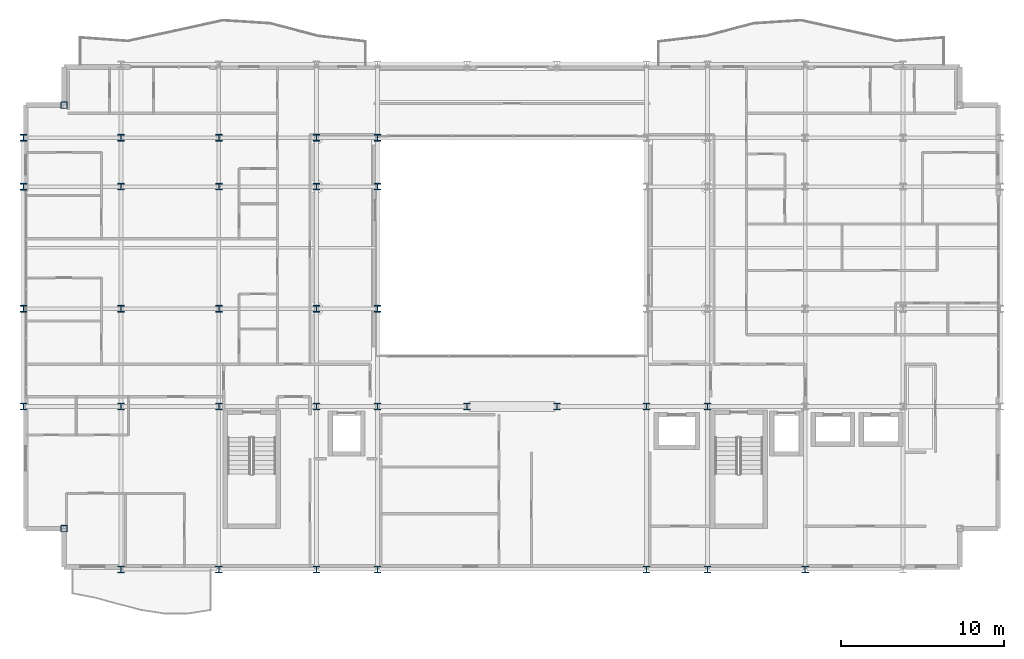
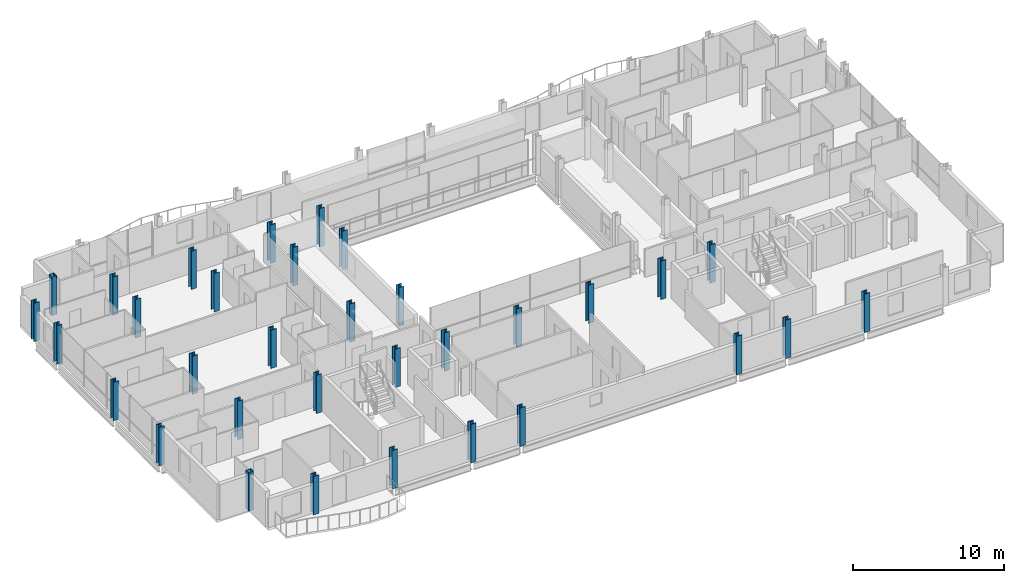
# One storey, part 1 of 41: 33 columns.
"""IFC4 building model written with IfcOpenShell, lengths in metres."""

import ifcopenshell
import ifcopenshell.guid

model = None  # the IFC model being written
_history = None  # IfcOwnerHistory: only IFC2X3 demands one
_inside = {}  # id of a spatial element -> (the spatial element, [elements in it])
_under = {}  # id of a project, library or spatial element -> (it, [spatial elements below it])
_declared = {}  # id of a project -> (the project, [libraries it declares])
_typed = {}  # id of a type object -> (the type object, [elements of that type])
_made_of = {}  # id of a material, layer set ... -> (it, [elements and type objects made of it])


def new_model(schema):
    """Start an empty IFC model of exactly this schema.

    Asked for "IFC4X3", IfcOpenShell would pick the latest addendum, in which some entities
    have other attributes; the version numbers below select the first issue.
    IFC2X3 requires an IfcOwnerHistory on every rooted entity: one is made here for all.
    """
    global model, _history
    if schema == "IFC4X3":
        model = ifcopenshell.file(schema_version=(4, 3, 0, 0))
    else:
        model = ifcopenshell.file(schema=schema)
    _inside.clear()
    _under.clear()
    _declared.clear()
    _typed.clear()
    _made_of.clear()
    _history = None
    if model.schema == "IFC2X3":
        org = make("IfcOrganization", Name="unknown")
        user = make(
            "IfcPersonAndOrganization",
            ThePerson=make("IfcPerson", FamilyName="unknown"),
            TheOrganization=org,
        )
        app = make(
            "IfcApplication",
            ApplicationDeveloper=org,
            Version="unknown",
            ApplicationFullName="unknown",
            ApplicationIdentifier="unknown",
        )
        _history = make(
            "IfcOwnerHistory",
            OwningUser=user,
            OwningApplication=app,
            ChangeAction="ADDED",
            CreationDate=0,
        )
    return model


def make(cls, **values):
    """One entity of the class cls with the attributes given. An attribute that is None is left unset."""
    return model.create_entity(
        cls, **{name: value for name, value in values.items() if value is not None}
    )


def rooted(cls, **values):
    """An entity with a GlobalId (a new one), such as an element, a storey or a relation."""
    return make(cls, GlobalId=ifcopenshell.guid.new(), OwnerHistory=_history, **values)


def si_unit(unit_type, name, prefix=None):
    """IfcSIUnit, for example si_unit("LENGTHUNIT", "METRE", prefix="MILLI")."""
    return make("IfcSIUnit", UnitType=unit_type, Prefix=prefix, Name=name)


def assignment(units):
    """IfcUnitAssignment: the units of a project."""
    return None if units is None else make("IfcUnitAssignment", Units=units)


def point(xyz):
    """IfcCartesianPoint."""
    return None if xyz is None else make("IfcCartesianPoint", Coordinates=xyz)


def direction(xyz):
    """IfcDirection."""
    return None if xyz is None else make("IfcDirection", DirectionRatios=xyz)


def frame(location, z_axis=None, x_axis=None):
    """IfcAxis2Placement3D, a coordinate frame: its origin and axes. An axis left out is left unset."""
    return make(
        "IfcAxis2Placement3D",
        Location=point(location),
        Axis=direction(z_axis),
        RefDirection=direction(x_axis),
    )


def frame_2d(location, x_axis=None):
    """IfcAxis2Placement2D, a coordinate frame in the plane: its origin and x axis."""
    return make(
        "IfcAxis2Placement2D", Location=point(location), RefDirection=direction(x_axis)
    )


def origin():
    """The frame at (0, 0, 0) with its axes left unset."""
    return frame((0.0, 0.0, 0.0))


def origin_2d():
    """The frame at (0, 0) in the plane with its x axis left unset."""
    return frame_2d((0.0, 0.0))


def place(relative_to, where):
    """IfcLocalPlacement: puts the frame where relative to a parent placement (None: the world)."""
    return make(
        "IfcLocalPlacement", PlacementRelTo=relative_to, RelativePlacement=where
    )


def context(
    kind, dimensions, precision=None, world=None, true_north=None, identifier=None
):
    """IfcGeometricRepresentationContext, for example the 3D "Model" context."""
    return make(
        "IfcGeometricRepresentationContext",
        ContextIdentifier=identifier,
        ContextType=kind,
        CoordinateSpaceDimension=dimensions,
        Precision=precision,
        WorldCoordinateSystem=world,
        TrueNorth=true_north,
    )


def subcontext(parent, identifier, kind, view, scale=None):
    """IfcGeometricRepresentationSubContext, for example "Body" below "Model"."""
    return make(
        "IfcGeometricRepresentationSubContext",
        ContextIdentifier=identifier,
        ContextType=kind,
        ParentContext=parent,
        TargetScale=scale,
        TargetView=view,
    )


def project(units=None, contexts=None):
    """IfcProject with its units and contexts."""
    return rooted(
        "IfcProject",
        Name="project",
        RepresentationContexts=contexts,
        UnitsInContext=assignment(units),
    )


def spatial(cls, under=None, at=None, **own):
    """A site, building, storey or space (cls), placed at a placement, below another one or the project."""
    s = rooted(cls, ObjectPlacement=at, **own)
    if under is not None:
        _under.setdefault(under.id(), (under, []))[1].append(s)
    return s


def profile(cls, at=None, kind="AREA", **sizes):
    """A parametric profile (cls). Its sizes go by their IFC names, for example OverallWidth=200.0."""
    return make(cls, ProfileType=kind, Position=at, **sizes)


def hollow_rectangle(**sizes):
    """IfcRectangleHollowProfileDef."""
    return profile("IfcRectangleHollowProfileDef", **sizes)


def i_section(**sizes):
    """IfcIShapeProfileDef."""
    return profile("IfcIShapeProfileDef", **sizes)


def extrude(swept, where, along, depth):
    """IfcExtrudedAreaSolid: the profile swept, set in the frame where, extruded along a direction by depth."""
    return make(
        "IfcExtrudedAreaSolid",
        SweptArea=swept,
        Position=where,
        ExtrudedDirection=direction(along),
        Depth=depth,
    )


def shape(context_of_items, identifier, shape_type, items):
    """IfcShapeRepresentation: the items that make up one representation, for example the "Body"."""
    return make(
        "IfcShapeRepresentation",
        ContextOfItems=context_of_items,
        RepresentationIdentifier=identifier,
        RepresentationType=shape_type,
        Items=items,
    )


def material(Name=None, Category=None):
    """IfcMaterial."""
    return make("IfcMaterial", Name=Name, Category=Category)


def material_profile(
    of_material, cross_section, Name=None, Category=None, Priority=None
):
    """IfcMaterialProfile: a cross section and its material."""
    return make(
        "IfcMaterialProfile",
        Name=Name,
        Material=of_material,
        Profile=cross_section,
        Priority=Priority,
        Category=Category,
    )


def profile_set(profiles, Name=None, composite=None):
    """IfcMaterialProfileSet."""
    return make(
        "IfcMaterialProfileSet",
        Name=Name,
        MaterialProfiles=profiles,
        CompositeProfile=composite,
    )


def made_of(thing, what):
    """Note that an element or type object is made of a material, layer set ...; save() writes the relation."""
    if what is not None:
        _made_of.setdefault(what.id(), (what, []))[1].append(thing)
    return thing


def type_object(cls, material=None, **own):
    """A type object (cls), such as IfcWallType, which elements share."""
    return made_of(rooted(cls, **own), material)


def element(
    cls,
    number,
    at=None,
    inside=None,
    cuts=None,
    type_object=None,
    material=None,
    context=None,
    identifier="Body",
    shape_type=None,
    held_by="IfcProductDefinitionShape",
    body=None,
    shapes=None,
    **own,
):
    """One element of the class cls, such as IfcWall. Its Tag is "e" and its number.

    at: its placement. inside: the storey or other place that contains it. cuts: it is an
    opening in that element (IfcRelVoidsElement). A single representation is given by context,
    identifier, shape_type and body (its items); several are given by shapes. held_by: the class
    of the entity that holds the representations. save() writes the other relations.
    """
    e = rooted(cls, Tag="e%d" % number, ObjectPlacement=at, **own)
    if body is not None:
        shapes = [shape(context, identifier, shape_type, body)]
    if shapes is not None:
        e.Representation = make(held_by, Representations=shapes)
    if inside is not None:
        _inside.setdefault(inside.id(), (inside, []))[1].append(e)
    if cuts is not None:
        rooted(
            "IfcRelVoidsElement", RelatingBuildingElement=cuts, RelatedOpeningElement=e
        )
    if type_object is not None:
        _typed.setdefault(type_object.id(), (type_object, []))[1].append(e)
    return made_of(e, material)


def aggregate(whole, parts):
    """IfcRelAggregates: a whole, such as a stair, and the parts it consists of."""
    return rooted("IfcRelAggregates", RelatingObject=whole, RelatedObjects=parts)


def save(model, path):
    """Write the relations noted so far, then the file.

    IfcRelAggregates (storeys below a building ...), IfcRelContainedInSpatialStructure (elements
    in a storey), IfcRelDefinesByType, IfcRelAssociatesMaterial and IfcRelDeclares: one each for
    every whole, place, type object, material and project.
    """
    for whole, parts in _under.values():
        aggregate(whole, parts)
    for where, things in _inside.values():
        rooted(
            "IfcRelContainedInSpatialStructure",
            RelatedElements=things,
            RelatingStructure=where,
        )
    for kind, things in _typed.values():
        rooted("IfcRelDefinesByType", RelatedObjects=things, RelatingType=kind)
    for what, things in _made_of.values():
        rooted("IfcRelAssociatesMaterial", RelatedObjects=things, RelatingMaterial=what)
    for by, libraries in _declared.values():
        rooted("IfcRelDeclares", RelatingContext=by, RelatedDefinitions=libraries)
    model.write(path)


model = new_model("IFC4")

# Units and contexts
model_context = context("Model", 3, precision=1e-05, world=origin(), true_north=direction((0.0, 1.0)))
body_context = subcontext(model_context, "Body", "Model", "MODEL_VIEW")
ifc_project = project(units=[si_unit("LENGTHUNIT", "METRE"), si_unit("AREAUNIT", "SQUARE_METRE"), si_unit("VOLUMEUNIT", "CUBIC_METRE"), si_unit("PLANEANGLEUNIT", "RADIAN"), si_unit("MASSUNIT", "GRAM", prefix="KILO")], contexts=[model_context])

# Site, building, storey
site_placement = place(None, origin())
site = spatial("IfcSite", under=ifc_project, at=site_placement, CompositionType="ELEMENT")
building_placement = place(site_placement, origin())
building = spatial("IfcBuilding", under=site, at=building_placement, Name="Brevholm Reach", CompositionType="ELEMENT")
storey_placement = place(building_placement, frame((0.0, 0.0, 138.699951171875)))
storey = spatial("IfcBuildingStorey", under=building, at=storey_placement, Name="L41", CompositionType="ELEMENT", Elevation=138.699951171875)

# Columns
ifc_material_1 = material(Name="Structural Steel S460NH", Category="steel")
ifc_material_profile_1 = material_profile(ifc_material_1, hollow_rectangle(XDim=0.39990234375, YDim=0.39990234375, WallThickness=0.02001953125, InnerFilletRadius=0.011962890625, OuterFilletRadius=0.02392578125, at=origin_2d()), Name="SHS 400x400x20")
ifc_profile_set_1 = profile_set([ifc_material_profile_1], Name="Structural Steel S460NH")
column_type_1 = type_object("IfcColumnType", Name="COL-SHS2", PredefinedType="COLUMN", material=ifc_profile_set_1)
for number, where, z_axis, x_axis, name in (
    (1, (2.5, 2.5, 0.0), (0.0, 0.0, 1.0), (1.0, 0.0, 0.0), "L41 Column 05"),
    (2, (2.5, 28.5, 0.0), (0.0, 0.0, 1.0), (1.0, 0.0, 0.0), "L41 Column 06"),
):
    element("IfcColumn", number, at=place(storey_placement, frame(where, z_axis=z_axis, x_axis=x_axis)), inside=storey, type_object=column_type_1, Name=name, PredefinedType="COLUMN", context=body_context, shape_type="SweptSolid", body=[
        extrude(hollow_rectangle(XDim=0.39990234375, YDim=0.39990234375, WallThickness=0.02001953125, InnerFilletRadius=0.011962890625, OuterFilletRadius=0.02392578125, at=origin_2d()), origin(), (0.0, 0.0, 1.0), 3.10009765625),
    ])
ifc_material_2 = material(Name="Structural Steel S355J2", Category="steel")
ifc_material_profile_2 = material_profile(ifc_material_2, i_section(OverallWidth=0.406982421875, OverallDepth=0.4189453125, WebThickness=0.030517578125, FlangeThickness=0.04931640625, FilletRadius=0.01513671875, at=origin_2d()), Name="UKC 356x406x393")
ifc_profile_set_2 = profile_set([ifc_material_profile_2], Name="Structural Steel S355J2")
column_type_2 = type_object("IfcColumnType", Name="COL-UC4", PredefinedType="COLUMN", material=ifc_profile_set_2)
for number, where, z_axis, x_axis, name in (
    (3, (0.0, 10.0, 0.0), (0.0, 0.0, 1.0), (1.0, 0.0, 0.0), "L41 Column 01"),
    (4, (0.0, 16.0, 0.0), (0.0, 0.0, 1.0), (1.0, 0.0, 0.0), "L41 Column 02"),
    (5, (0.0, 23.5, 0.0), (0.0, 0.0, 1.0), (1.0, 0.0, 0.0), "L41 Column 03"),
    (6, (0.0, 26.5, 0.0), (0.0, 0.0, 1.0), (1.0, 0.0, 0.0), "L41 Column 04"),
    (7, (6.0, 0.0, 0.0), (0.0, 0.0, 1.0), (1.0, 0.0, 0.0), "L41 Column 07"),
    (8, (12.0, 0.0, 0.0), (0.0, 0.0, 1.0), (1.0, 0.0, 0.0), "L41 Column 13"),
    (9, (18.0, 0.0, 0.0), (0.0, 0.0, 1.0), (1.0, 0.0, 0.0), "L41 Column 19"),
    (10, (21.75, 0.0, 0.0), (0.0, 0.0, 1.0), (1.0, 0.0, 0.0), "L41 Column 25"),
    (11, (38.25, 0.0, 0.0), (0.0, 0.0, 1.0), (1.0, 0.0, 0.0), "L41 Column 35"),
    (12, (42.0, 0.0, 0.0), (0.0, 0.0, 1.0), (1.0, 0.0, 0.0), "L41 Column 41"),
    (13, (48.0, 0.0, 0.0), (0.0, 0.0, 1.0), (1.0, 0.0, 0.0), "L41 Column 47"),
):
    element("IfcColumn", number, at=place(storey_placement, frame(where, z_axis=z_axis, x_axis=x_axis)), inside=storey, type_object=column_type_2, Name=name, PredefinedType="COLUMN", context=body_context, shape_type="SweptSolid", body=[
        extrude(i_section(OverallWidth=0.406982421875, OverallDepth=0.4189453125, WebThickness=0.030517578125, FlangeThickness=0.04931640625, FilletRadius=0.01513671875, at=origin_2d()), origin(), (0.0, 0.0, 1.0), 3.10009765625),
    ])
ifc_material_3 = material(Name="Structural Steel S355J2", Category="steel")
ifc_material_profile_3 = material_profile(ifc_material_3, i_section(OverallWidth=0.403076171875, OverallDepth=0.406494140625, WebThickness=0.026611328125, FlangeThickness=0.04296875, FilletRadius=0.01513671875, at=origin_2d()), Name="UKC 356x406x340")
ifc_profile_set_3 = profile_set([ifc_material_profile_3], Name="Structural Steel S355J2")
column_type_3 = type_object("IfcColumnType", Name="COL-UC5", PredefinedType="COLUMN", material=ifc_profile_set_3)
for number, where, z_axis, x_axis, name in (
    (14, (6.0, 10.0, 0.0), (0.0, 0.0, 1.0), (1.0, 0.0, 0.0), "L41 Column 08"),
    (15, (6.0, 16.0, 0.0), (0.0, 0.0, 1.0), (1.0, 0.0, 0.0), "L41 Column 09"),
    (16, (6.0, 23.5, 0.0), (0.0, 0.0, 1.0), (1.0, 0.0, 0.0), "L41 Column 10"),
    (17, (6.0, 26.5, 0.0), (0.0, 0.0, 1.0), (1.0, 0.0, 0.0), "L41 Column 11"),
    (18, (12.0, 10.0, 0.0), (0.0, 0.0, 1.0), (1.0, 0.0, 0.0), "L41 Column 14"),
    (19, (12.0, 16.0, 0.0), (0.0, 0.0, 1.0), (1.0, 0.0, 0.0), "L41 Column 15"),
    (20, (12.0, 23.5, 0.0), (0.0, 0.0, 1.0), (1.0, 0.0, 0.0), "L41 Column 16"),
    (21, (12.0, 26.5, 0.0), (0.0, 0.0, 1.0), (1.0, 0.0, 0.0), "L41 Column 17"),
    (22, (18.0, 10.0, 0.0), (0.0, 0.0, 1.0), (1.0, 0.0, 0.0), "L41 Column 20"),
    (23, (18.0, 16.0, 0.0), (0.0, 0.0, 1.0), (1.0, 0.0, 0.0), "L41 Column 21"),
    (24, (18.0, 23.5, 0.0), (0.0, 0.0, 1.0), (1.0, 0.0, 0.0), "L41 Column 22"),
    (25, (18.0, 26.5, 0.0), (0.0, 0.0, 1.0), (1.0, 0.0, 0.0), "L41 Column 23"),
    (26, (21.75, 10.0, 0.0), (0.0, 0.0, 1.0), (1.0, 0.0, 0.0), "L41 Column 26"),
    (27, (21.75, 16.0, 0.0), (0.0, 0.0, 1.0), (1.0, 0.0, 0.0), "L41 Column 27"),
    (28, (21.75, 23.5, 0.0), (0.0, 0.0, 1.0), (1.0, 0.0, 0.0), "L41 Column 28"),
    (29, (21.75, 26.5, 0.0), (0.0, 0.0, 1.0), (1.0, 0.0, 0.0), "L41 Column 29"),
    (30, (27.25, 10.0, 0.0), (0.0, 0.0, 1.0), (1.0, 0.0, 0.0), "L41 Column 31"),
    (31, (32.75, 10.0, 0.0), (0.0, 0.0, 1.0), (1.0, 0.0, 0.0), "L41 Column 33"),
    (32, (38.25, 10.0, 0.0), (0.0, 0.0, 1.0), (1.0, 0.0, 0.0), "L41 Column 36"),
    (33, (42.0, 10.0, 0.0), (0.0, 0.0, 1.0), (1.0, 0.0, 0.0), "L41 Column 42"),
):
    element("IfcColumn", number, at=place(storey_placement, frame(where, z_axis=z_axis, x_axis=x_axis)), inside=storey, type_object=column_type_3, Name=name, PredefinedType="COLUMN", context=body_context, shape_type="SweptSolid", body=[
        extrude(i_section(OverallWidth=0.403076171875, OverallDepth=0.406494140625, WebThickness=0.026611328125, FlangeThickness=0.04296875, FilletRadius=0.01513671875, at=origin_2d()), origin(), (0.0, 0.0, 1.0), 3.10009765625),
    ])

save(model, "model.ifc")
